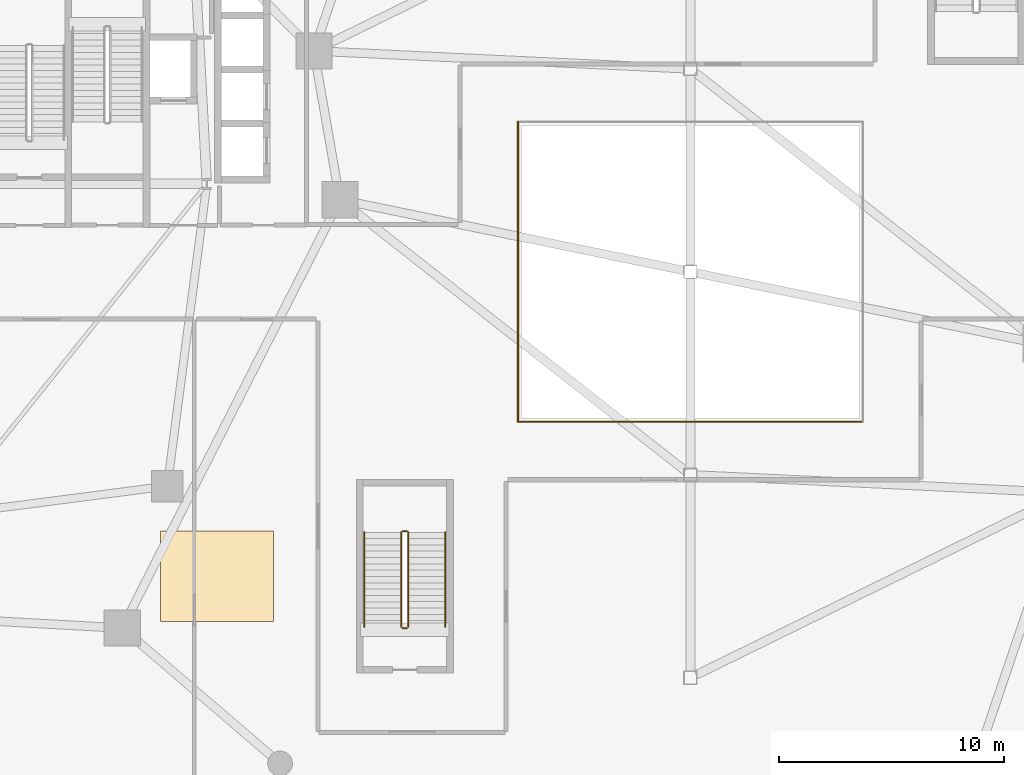
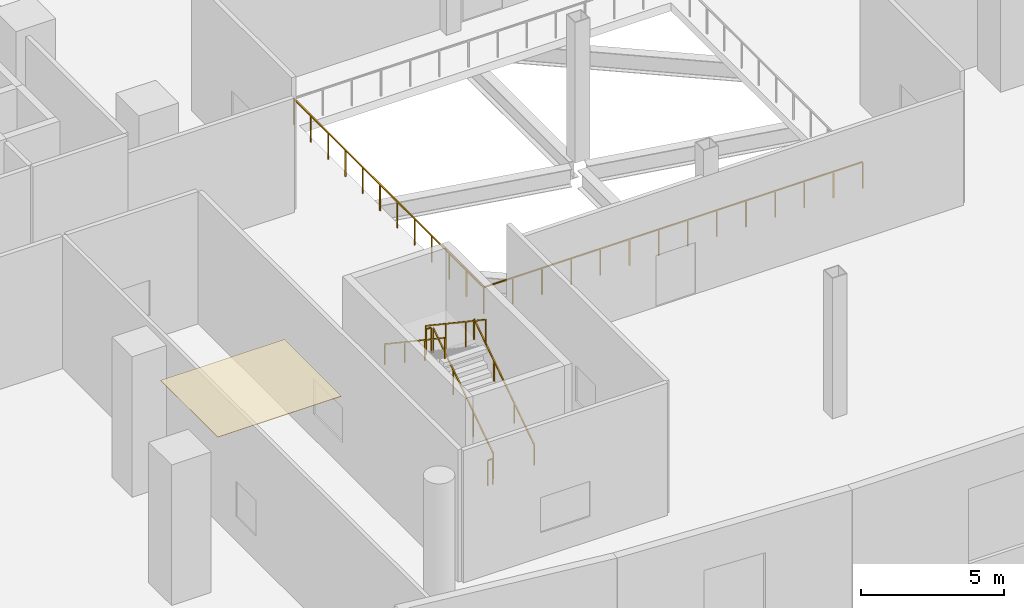
# One storey, part 17 of 20: 8 railings, 1 covering.
"""IFC4 building model written with IfcOpenShell, lengths in metres."""

from ifc_helpers import new_model, si_unit, direction, frame, origin, origin_2d, place, context, subcontext, project, spatial, polyline, rectangle, outline, extrude, material, layer, layer_set, type_object, element, save


model = new_model("IFC4")

# Units and contexts
model_context = context("Model", 3, precision=1e-05, world=origin(), true_north=direction((0.0, 1.0)))
body_context = subcontext(model_context, "Body", "Model", "MODEL_VIEW")
ifc_project = project(units=[si_unit("LENGTHUNIT", "METRE"), si_unit("AREAUNIT", "SQUARE_METRE"), si_unit("VOLUMEUNIT", "CUBIC_METRE"), si_unit("PLANEANGLEUNIT", "RADIAN"), si_unit("MASSUNIT", "GRAM", prefix="KILO"), si_unit("THERMODYNAMICTEMPERATUREUNIT", "KELVIN"), si_unit("POWERUNIT", "WATT")], contexts=[model_context])

# Site, building, storey
site_placement = place(None, origin())
site = spatial("IfcSite", under=ifc_project, at=site_placement, CompositionType="ELEMENT")
building_placement = place(site_placement, origin())
building = spatial("IfcBuilding", under=site, at=building_placement, Name="Cundina Bronze Exchange", CompositionType="ELEMENT")
storey_placement = place(building_placement, frame((0.0, 0.0, 6.0)))
storey = spatial("IfcBuildingStorey", under=building, at=storey_placement, Name="L01", CompositionType="ELEMENT", Elevation=6.0)

# Covering
ifc_material_1 = material(Name="Mineral Acoustic Ceiling Tile 18mm")
ifc_layer = layer(ifc_material_1, 0.01806640625, Name="Mineral Acoustic Ceiling Tile 18mm")
ifc_layer_set = layer_set([ifc_layer], Name="Mineral Acoustic Ceiling Tile 18mm")
covering_type = type_object("IfcCoveringType", Name="COV-CLG-AC18", PredefinedType="CEILING", material=ifc_layer_set)
covering_placement = place(storey_placement, frame((0.0, 0.0, 5.632080078125)))
element("IfcCovering", 1, at=covering_placement, inside=storey, type_object=covering_type, Name="L01 Suspended Mineral Acoustic Ceiling", PredefinedType="CEILING", context=body_context, shape_type="SweptSolid", body=[
    extrude(outline(polyline([(-23.5, -15.5), (-18.5, -15.5), (-18.5, -11.5), (-23.5, -11.5), (-23.5, -15.5)])), origin(), (0.0, 0.0, 1.0), 0.017822265625),
])

# Railings
ifc_material_2 = material(Name="Heat-Strengthened Solar-Control Bronze Safety Glass 28mm", Category="glass")
railing_type_1 = type_object("IfcRailingType", Name="RLG-BAL-1150", PredefinedType="BALUSTRADE", material=ifc_material_2)
railing_1_placement = place(storey_placement, frame((-7.64990234375, -6.64990234375, 0.0)))
element("IfcRailing", 2, at=railing_1_placement, inside=storey, type_object=railing_type_1, Name="L01 Exchange Atrium Glass Balustrade 1", PredefinedType="BALUSTRADE", context=body_context, shape_type="SweptSolid", body=[
    extrude(rectangle(XDim=0.048095703125, YDim=0.048095703125, at=origin_2d()), frame((0.0, 0.0, 1.1259765625), z_axis=(1.0, 0.0, 0.0), x_axis=(0.0, 1.0, 0.0)), (0.0, 0.0, 1.0), 15.2998046875),
    extrude(rectangle(XDim=0.0419921875, YDim=0.0419921875, at=origin_2d()), origin(), (0.0, 0.0, 1.0), 1.101806640625),
    extrude(rectangle(XDim=0.0419921875, YDim=0.0419921875, at=origin_2d()), frame((1.177001953125, 0.0, 0.0)), (0.0, 0.0, 1.0), 1.101806640625),
    extrude(rectangle(XDim=0.0419921875, YDim=0.0419921875, at=origin_2d()), frame((2.353759765625, 0.0, 0.0)), (0.0, 0.0, 1.0), 1.101806640625),
    extrude(rectangle(XDim=0.0419921875, YDim=0.0419921875, at=origin_2d()), frame((3.53076171875, 0.0, 0.0)), (0.0, 0.0, 1.0), 1.101806640625),
    extrude(rectangle(XDim=0.0419921875, YDim=0.0419921875, at=origin_2d()), frame((4.70751953125, 0.0, 0.0)), (0.0, 0.0, 1.0), 1.101806640625),
    extrude(rectangle(XDim=0.0419921875, YDim=0.0419921875, at=origin_2d()), frame((5.884521484375, 0.0, 0.0)), (0.0, 0.0, 1.0), 1.101806640625),
    extrude(rectangle(XDim=0.0419921875, YDim=0.0419921875, at=origin_2d()), frame((7.0615234375, 0.0, 0.0)), (0.0, 0.0, 1.0), 1.101806640625),
    extrude(rectangle(XDim=0.0419921875, YDim=0.0419921875, at=origin_2d()), frame((8.23828125, 0.0, 0.0)), (0.0, 0.0, 1.0), 1.101806640625),
    extrude(rectangle(XDim=0.0419921875, YDim=0.0419921875, at=origin_2d()), frame((9.415283203125, 0.0, 0.0)), (0.0, 0.0, 1.0), 1.101806640625),
    extrude(rectangle(XDim=0.0419921875, YDim=0.0419921875, at=origin_2d()), frame((10.59228515625, 0.0, 0.0)), (0.0, 0.0, 1.0), 1.101806640625),
    extrude(rectangle(XDim=0.0419921875, YDim=0.0419921875, at=origin_2d()), frame((11.76904296875, 0.0, 0.0)), (0.0, 0.0, 1.0), 1.101806640625),
    extrude(rectangle(XDim=0.0419921875, YDim=0.0419921875, at=origin_2d()), frame((12.946044921875, 0.0, 0.0)), (0.0, 0.0, 1.0), 1.101806640625),
    extrude(rectangle(XDim=0.0419921875, YDim=0.0419921875, at=origin_2d()), frame((14.122802734375, 0.0, 0.0)), (0.0, 0.0, 1.0), 1.101806640625),
    extrude(rectangle(XDim=0.0419921875, YDim=0.0419921875, at=origin_2d()), frame((15.2998046875, 0.0, 0.0)), (0.0, 0.0, 1.0), 1.101806640625),
])
railing_2_placement = place(storey_placement, frame((-7.64990234375, 6.64990234375, 0.0)))
element("IfcRailing", 3, at=railing_2_placement, inside=storey, type_object=railing_type_1, Name="L01 Exchange Atrium Glass Balustrade 4", PredefinedType="BALUSTRADE", context=body_context, shape_type="SweptSolid", body=[
    extrude(rectangle(XDim=0.048095703125, YDim=0.048095703125, at=origin_2d()), frame((0.0, 0.0, 1.1259765625), z_axis=(0.0, -1.0, 0.0), x_axis=(1.0, 0.0, 0.0)), (0.0, 0.0, 1.0), 13.2998046875),
    extrude(rectangle(XDim=0.0419921875, YDim=0.0419921875, at=origin_2d()), origin(), (0.0, 0.0, 1.0), 1.101806640625),
    extrude(rectangle(XDim=0.0419921875, YDim=0.0419921875, at=origin_2d()), frame((0.0, -1.208984375, 0.0)), (0.0, 0.0, 1.0), 1.101806640625),
    extrude(rectangle(XDim=0.0419921875, YDim=0.0419921875, at=origin_2d()), frame((0.0, -2.418212890625, 0.0)), (0.0, 0.0, 1.0), 1.101806640625),
    extrude(rectangle(XDim=0.0419921875, YDim=0.0419921875, at=origin_2d()), frame((0.0, -3.627197265625, 0.0)), (0.0, 0.0, 1.0), 1.101806640625),
    extrude(rectangle(XDim=0.0419921875, YDim=0.0419921875, at=origin_2d()), frame((0.0, -4.836181640625, 0.0)), (0.0, 0.0, 1.0), 1.101806640625),
    extrude(rectangle(XDim=0.0419921875, YDim=0.0419921875, at=origin_2d()), frame((0.0, -6.04541015625, 0.0)), (0.0, 0.0, 1.0), 1.101806640625),
    extrude(rectangle(XDim=0.0419921875, YDim=0.0419921875, at=origin_2d()), frame((0.0, -7.25439453125, 0.0)), (0.0, 0.0, 1.0), 1.101806640625),
    extrude(rectangle(XDim=0.0419921875, YDim=0.0419921875, at=origin_2d()), frame((0.0, -8.463623046875, 0.0)), (0.0, 0.0, 1.0), 1.101806640625),
    extrude(rectangle(XDim=0.0419921875, YDim=0.0419921875, at=origin_2d()), frame((0.0, -9.672607421875, 0.0)), (0.0, 0.0, 1.0), 1.101806640625),
    extrude(rectangle(XDim=0.0419921875, YDim=0.0419921875, at=origin_2d()), frame((0.0, -10.881591796875, 0.0)), (0.0, 0.0, 1.0), 1.101806640625),
    extrude(rectangle(XDim=0.0419921875, YDim=0.0419921875, at=origin_2d()), frame((0.0, -12.0908203125, 0.0)), (0.0, 0.0, 1.0), 1.101806640625),
    extrude(rectangle(XDim=0.0419921875, YDim=0.0419921875, at=origin_2d()), frame((0.0, -13.2998046875, 0.0)), (0.0, 0.0, 1.0), 1.101806640625),
])
ifc_material_3 = material(Name="Steel ASTM A36 Painted", Category="steel")
railing_type_2 = type_object("IfcRailingType", Name="RLG-HND-900", PredefinedType="HANDRAIL", material=ifc_material_3)
railing_3_placement = place(storey_placement, frame((-10.8701171875, -15.75, 0.1875)))
element("IfcRailing", 4, at=railing_3_placement, inside=storey, type_object=railing_type_2, Name="L01 ST-PW stair handrail 1", PredefinedType="HANDRAIL", context=body_context, shape_type="SweptSolid", body=[
    extrude(rectangle(XDim=0.048095703125, YDim=0.048095703125, at=origin_2d()), frame((0.0, 0.0, 0.8759765625), z_axis=(0.0, 0.830904186295, 0.556415522067), x_axis=(-1.0, 0.0, 0.0)), (0.0, 0.0, 1.0), 5.0546875),
    extrude(rectangle(XDim=0.0419921875, YDim=0.0419921875, at=origin_2d()), origin(), (0.0, 0.0, 1.0), 0.851806640625),
    extrude(rectangle(XDim=0.0419921875, YDim=0.0419921875, at=origin_2d()), frame((0.0, 1.39990234375, 0.9375)), (0.0, 0.0, 1.0), 0.851806640625),
    extrude(rectangle(XDim=0.0419921875, YDim=0.0419921875, at=origin_2d()), frame((0.0, 2.800048828125, 1.875)), (0.0, 0.0, 1.0), 0.851806640625),
    extrude(rectangle(XDim=0.0419921875, YDim=0.0419921875, at=origin_2d()), frame((0.0, 4.199951171875, 2.8125)), (0.0, 0.0, 1.0), 0.851806640625),
])
railing_4_placement = place(storey_placement, frame((-14.469970703125, -11.550048828125, 3.1875)))
element("IfcRailing", 5, at=railing_4_placement, inside=storey, type_object=railing_type_2, Name="L01 ST-PW stair handrail 2", PredefinedType="HANDRAIL", context=body_context, shape_type="SweptSolid", body=[
    extrude(rectangle(XDim=0.048095703125, YDim=0.048095703125, at=origin_2d()), frame((0.0, 0.0, 0.8759765625), z_axis=(0.0, -0.830904186295, 0.556415522067), x_axis=(1.0, 0.0, 0.0)), (0.0, 0.0, 1.0), 5.0546875),
    extrude(rectangle(XDim=0.0419921875, YDim=0.0419921875, at=origin_2d()), origin(), (0.0, 0.0, 1.0), 0.851806640625),
    extrude(rectangle(XDim=0.0419921875, YDim=0.0419921875, at=origin_2d()), frame((0.0, -1.39990234375, 0.9375)), (0.0, 0.0, 1.0), 0.851806640625),
    extrude(rectangle(XDim=0.0419921875, YDim=0.0419921875, at=origin_2d()), frame((0.0, -2.800048828125, 1.875)), (0.0, 0.0, 1.0), 0.851806640625),
    extrude(rectangle(XDim=0.0419921875, YDim=0.0419921875, at=origin_2d()), frame((0.0, -4.199951171875, 2.8125)), (0.0, 0.0, 1.0), 0.851806640625),
])
railing_type_3 = type_object("IfcRailingType", Name="RLG-STG-1100", PredefinedType="GUARDRAIL", material=ifc_material_3)
railing_5_placement = place(storey_placement, frame((-12.52001953125, -15.75, 0.1875)))
element("IfcRailing", 6, at=railing_5_placement, inside=storey, type_object=railing_type_3, Name="L01 ST-PW stair guard 1", PredefinedType="GUARDRAIL", context=body_context, shape_type="SweptSolid", body=[
    extrude(rectangle(XDim=0.048095703125, YDim=0.048095703125, at=origin_2d()), frame((0.0, 0.0, 1.076171875), z_axis=(0.0, 0.830904186295, 0.556415522067), x_axis=(-1.0, 0.0, 0.0)), (0.0, 0.0, 1.0), 5.0546875),
    extrude(rectangle(XDim=0.0419921875, YDim=0.0419921875, at=origin_2d()), origin(), (0.0, 0.0, 1.0), 1.052001953125),
    extrude(rectangle(XDim=0.0419921875, YDim=0.0419921875, at=origin_2d()), frame((0.0, 1.39990234375, 0.9375)), (0.0, 0.0, 1.0), 1.052001953125),
    extrude(rectangle(XDim=0.0419921875, YDim=0.0419921875, at=origin_2d()), frame((0.0, 2.800048828125, 1.875)), (0.0, 0.0, 1.0), 1.052001953125),
    extrude(rectangle(XDim=0.0419921875, YDim=0.0419921875, at=origin_2d()), frame((0.0, 4.199951171875, 2.8125)), (0.0, 0.0, 1.0), 1.052001953125),
])
railing_6_placement = place(storey_placement, frame((-12.570068359375, -11.5, 3.0)))
element("IfcRailing", 7, at=railing_6_placement, inside=storey, type_object=railing_type_3, Name="L01 ST-PW stair guard 2", PredefinedType="GUARDRAIL", context=body_context, shape_type="SweptSolid", body=[
    extrude(rectangle(XDim=0.048095703125, YDim=0.048095703125, at=origin_2d()), frame((0.0, 0.0, 1.076171875), z_axis=(-1.0, 0.0, 0.0), x_axis=(0.0, -1.0, 0.0)), (0.0, 0.0, 1.0), 0.199951171875),
    extrude(rectangle(XDim=0.0419921875, YDim=0.0419921875, at=origin_2d()), origin(), (0.0, 0.0, 1.0), 1.052001953125),
    extrude(rectangle(XDim=0.0419921875, YDim=0.0419921875, at=origin_2d()), frame((-0.199951171875, 0.0, 0.0)), (0.0, 0.0, 1.0), 1.052001953125),
])
railing_7_placement = place(storey_placement, frame((-12.820068359375, -11.550048828125, 3.1875)))
element("IfcRailing", 8, at=railing_7_placement, inside=storey, type_object=railing_type_3, Name="L01 ST-PW stair guard 3", PredefinedType="GUARDRAIL", context=body_context, shape_type="SweptSolid", body=[
    extrude(rectangle(XDim=0.048095703125, YDim=0.048095703125, at=origin_2d()), frame((0.0, 0.0, 1.076171875), z_axis=(0.0, -0.830904186295, 0.556415522067), x_axis=(1.0, 0.0, 0.0)), (0.0, 0.0, 1.0), 5.0546875),
    extrude(rectangle(XDim=0.0419921875, YDim=0.0419921875, at=origin_2d()), origin(), (0.0, 0.0, 1.0), 1.052001953125),
    extrude(rectangle(XDim=0.0419921875, YDim=0.0419921875, at=origin_2d()), frame((0.0, -1.39990234375, 0.9375)), (0.0, 0.0, 1.0), 1.052001953125),
    extrude(rectangle(XDim=0.0419921875, YDim=0.0419921875, at=origin_2d()), frame((0.0, -2.800048828125, 1.875)), (0.0, 0.0, 1.0), 1.052001953125),
    extrude(rectangle(XDim=0.0419921875, YDim=0.0419921875, at=origin_2d()), frame((0.0, -4.199951171875, 2.8125)), (0.0, 0.0, 1.0), 1.052001953125),
])
railing_8_placement = place(storey_placement, frame((-12.570068359375, -15.800048828125, 0.0)))
element("IfcRailing", 9, at=railing_8_placement, inside=storey, type_object=railing_type_3, Name="L01 ST-PW stair guard 4", PredefinedType="GUARDRAIL", context=body_context, shape_type="SweptSolid", body=[
    extrude(rectangle(XDim=0.048095703125, YDim=0.048095703125, at=origin_2d()), frame((0.0, 0.0, 1.076171875), z_axis=(-1.0, 0.0, 0.0), x_axis=(0.0, -1.0, 0.0)), (0.0, 0.0, 1.0), 0.199951171875),
    extrude(rectangle(XDim=0.0419921875, YDim=0.0419921875, at=origin_2d()), origin(), (0.0, 0.0, 1.0), 1.052001953125),
    extrude(rectangle(XDim=0.0419921875, YDim=0.0419921875, at=origin_2d()), frame((-0.199951171875, 0.0, 0.0)), (0.0, 0.0, 1.0), 1.052001953125),
])

save(model, "model.ifc")
